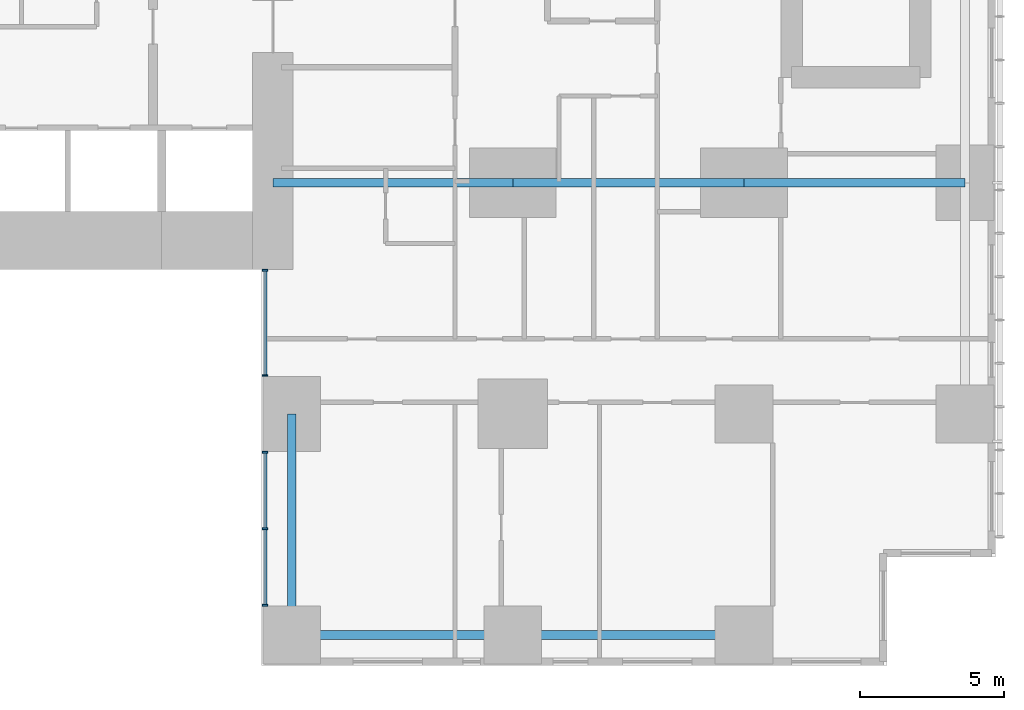
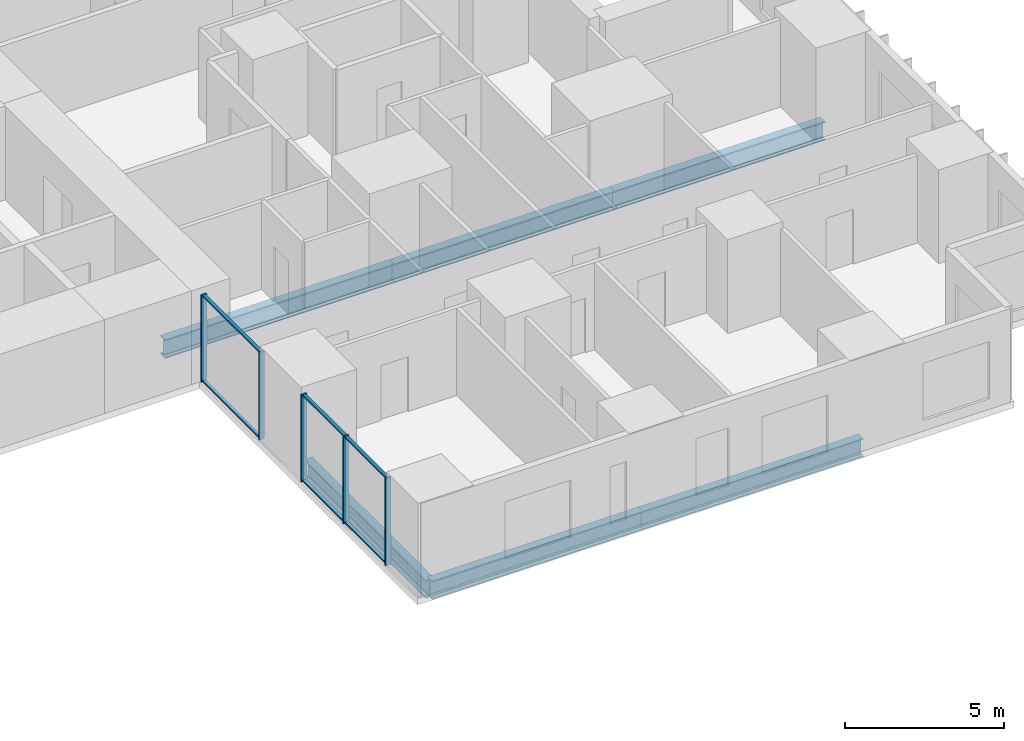
# One storey, part 3 of 20: 11 members, 6 beams, 2 elements without a shape of their own.
"""IFC4 building model written with IfcOpenShell, lengths in metres."""

from ifc_helpers import new_model, si_unit, direction, frame, origin, origin_2d, place, context, subcontext, project, spatial, rectangle, i_section, extrude, material, layer, layer_set, material_profile, profile_set, type_object, element, aggregate, save


model = new_model("IFC4")

# Units and contexts
model_context = context("Model", 3, precision=1e-05, world=origin(), true_north=direction((0.0, 1.0)))
body_context = subcontext(model_context, "Body", "Model", "MODEL_VIEW")
ifc_project = project(units=[si_unit("LENGTHUNIT", "METRE"), si_unit("AREAUNIT", "SQUARE_METRE"), si_unit("VOLUMEUNIT", "CUBIC_METRE"), si_unit("PLANEANGLEUNIT", "RADIAN"), si_unit("MASSUNIT", "GRAM", prefix="KILO")], contexts=[model_context])

# Site, building, storey
site_placement = place(None, origin())
site = spatial("IfcSite", under=ifc_project, at=site_placement, CompositionType="ELEMENT")
building_placement = place(site_placement, origin())
building = spatial("IfcBuilding", under=site, at=building_placement, Name="Cleftline Residences", CompositionType="ELEMENT")
storey_placement = place(building_placement, frame((0.0, 0.0, 139.39990234375)))
storey = spatial("IfcBuildingStorey", under=building, at=storey_placement, Name="L36", CompositionType="ELEMENT", Elevation=139.39990234375)

# Beams
ifc_material_1 = material(Name="Steel S355", Category="steel")
ifc_material_profile_1 = material_profile(ifc_material_1, i_section(OverallWidth=0.300048828125, OverallDepth=0.699951171875, WebThickness=0.01708984375, FlangeThickness=0.031982421875, FilletRadius=0.027099609375, at=origin_2d()))
ifc_profile_set_1 = profile_set([ifc_material_profile_1], Name="Steel S355")
beam_type_1 = type_object("IfcBeamType", Name="BEAM HEB 700", PredefinedType="BEAM", material=ifc_profile_set_1)
beam_1_placement = place(storey_placement, frame((58.0, 0.35009765625, -0.599853515625), z_axis=(-1.0, 0.0, 0.0), x_axis=(0.0, -1.0, 0.0)))
element("IfcBeam", 1, at=beam_1_placement, inside=storey, type_object=beam_type_1, Name="Edge beam", PredefinedType="BEAM", context=body_context, shape_type="SweptSolid", body=[
    extrude(i_section(OverallWidth=0.300048828125, OverallDepth=0.699951171875, WebThickness=0.01708984375, FlangeThickness=0.031982421875, FilletRadius=0.027099609375, at=origin_2d()), origin(), (0.0, 0.0, 1.0), 8.0),
])
for number, where, z_axis, x_axis, name in (
    (2, (50.0, 0.35009765625, -0.599853515625), (-1.0, 0.0, 0.0), (0.0, -1.0, 0.0), "Edge beam"),
    (3, (42.35009765625, 0.35009765625, -0.599853515625), (0.0, 1.0, 0.0), (-1.0, 0.0, 0.0), "Edge beam"),
):
    element("IfcBeam", number, at=place(storey_placement, frame(where, z_axis=z_axis, x_axis=x_axis)), inside=storey, type_object=beam_type_1, Name=name, PredefinedType="BEAM", context=body_context, shape_type="SweptSolid", body=[
        extrude(i_section(OverallWidth=0.300048828125, OverallDepth=0.699951171875, WebThickness=0.01708984375, FlangeThickness=0.031982421875, FilletRadius=0.027099609375, at=origin_2d()), origin(), (0.0, 0.0, 1.0), 7.64990234375),
    ])
ifc_material_2 = material(Name="Steel S355", Category="steel")
ifc_material_profile_2 = material_profile(ifc_material_2, i_section(OverallWidth=0.303955078125, OverallDepth=0.716064453125, WebThickness=0.02099609375, FlangeThickness=0.0400390625, FilletRadius=0.027099609375, at=origin_2d()))
ifc_profile_set_2 = profile_set([ifc_material_profile_2], Name="Steel S355")
beam_type_2 = type_object("IfcBeamType", Name="BEAM HEM 700", PredefinedType="BEAM", material=ifc_profile_set_2)
beam_2_placement = place(storey_placement, frame((65.64990234375, 16.0, -0.60791015625), z_axis=(-1.0, 0.0, 0.0), x_axis=(0.0, -1.0, 0.0)))
element("IfcBeam", 4, at=beam_2_placement, inside=storey, type_object=beam_type_2, Name="Band beam", PredefinedType="BEAM", context=body_context, shape_type="SweptSolid", body=[
    extrude(i_section(OverallWidth=0.303955078125, OverallDepth=0.716064453125, WebThickness=0.02099609375, FlangeThickness=0.0400390625, FilletRadius=0.027099609375, at=origin_2d()), origin(), (0.0, 0.0, 1.0), 7.64990234375),
])
beam_3_placement = place(storey_placement, frame((58.0, 16.0, -0.60791015625), z_axis=(-1.0, 0.0, 0.0), x_axis=(0.0, -1.0, 0.0)))
element("IfcBeam", 5, at=beam_3_placement, inside=storey, type_object=beam_type_2, Name="Band beam", PredefinedType="BEAM", context=body_context, shape_type="SweptSolid", body=[
    extrude(i_section(OverallWidth=0.303955078125, OverallDepth=0.716064453125, WebThickness=0.02099609375, FlangeThickness=0.0400390625, FilletRadius=0.027099609375, at=origin_2d()), origin(), (0.0, 0.0, 1.0), 8.0),
])
beam_4_placement = place(storey_placement, frame((50.0, 16.0, -0.60791015625), z_axis=(-1.0, 0.0, 0.0), x_axis=(0.0, -1.0, 0.0)))
element("IfcBeam", 6, at=beam_4_placement, inside=storey, type_object=beam_type_2, Name="Band beam", PredefinedType="BEAM", context=body_context, shape_type="SweptSolid", body=[
    extrude(i_section(OverallWidth=0.303955078125, OverallDepth=0.716064453125, WebThickness=0.02099609375, FlangeThickness=0.0400390625, FilletRadius=0.027099609375, at=origin_2d()), origin(), (0.0, 0.0, 1.0), 8.300048828125),
])

# Curtain wall, members
ifc_material_3 = material(Name="Aluminium framed curtain wall", Category="aluminium")
ifc_layer = layer(ifc_material_3, 0.199951171875)
ifc_layer_set = layer_set([ifc_layer], Name="CW1 CLEFT GLAZING")
curtain_wall_type = type_object("IfcCurtainWallType", Name="CW1 CLEFT GLAZING", PredefinedType="NOTDEFINED", material=ifc_layer_set)
curtain_wall_1_placement = place(storey_placement, origin())
curtain_wall_1 = element("IfcCurtainWall", 7, at=curtain_wall_1_placement, inside=storey, type_object=curtain_wall_type, Name="Curtain wall CW1", PredefinedType="NOTDEFINED")
ifc_material_4 = material(Name="Aluminium mullion", Category="aluminium")
ifc_material_profile_3 = material_profile(ifc_material_4, rectangle(XDim=0.199951171875, YDim=0.06005859375, at=origin_2d()))
ifc_profile_set_3 = profile_set([ifc_material_profile_3], Name="Aluminium mullion")
member_type_1 = type_object("IfcMemberType", Name="CW1 MULLION", PredefinedType="MULLION", material=ifc_profile_set_3)
member_1_placement = place(storey_placement, frame((41.425048828125, 12.969970703125, 0.0), z_axis=(0.0, 0.0, 1.0), x_axis=(1.0, 0.0, 0.0)))
member_1 = element("IfcMember", 8, at=member_1_placement, type_object=member_type_1, Name="CW1 mullion 1", PredefinedType="MULLION", context=body_context, shape_type="SweptSolid", body=[
    extrude(rectangle(XDim=0.199951171875, YDim=0.06005859375, at=origin_2d()), origin(), (0.0, 0.0, 1.0), 3.35009765625),
])
member_2_placement = place(storey_placement, frame((41.425048828125, 9.330078125, 0.0), z_axis=(0.0, 0.0, 1.0), x_axis=(1.0, 0.0, 0.0)))
member_2 = element("IfcMember", 9, at=member_2_placement, type_object=member_type_1, Name="CW1 mullion 2", PredefinedType="MULLION", context=body_context, shape_type="SweptSolid", body=[
    extrude(rectangle(XDim=0.199951171875, YDim=0.06005859375, at=origin_2d()), origin(), (0.0, 0.0, 1.0), 3.35009765625),
])

curtain_wall_2_placement = place(storey_placement, origin())
curtain_wall_2 = element("IfcCurtainWall", 10, at=curtain_wall_2_placement, inside=storey, type_object=curtain_wall_type, Name="Curtain wall CW1", PredefinedType="NOTDEFINED")
member_3_placement = place(storey_placement, frame((41.425048828125, 6.669921875, 0.0), z_axis=(0.0, 0.0, 1.0), x_axis=(1.0, 0.0, 0.0)))
member_3 = element("IfcMember", 11, at=member_3_placement, type_object=member_type_1, Name="CW1 mullion 1", PredefinedType="MULLION", context=body_context, shape_type="SweptSolid", body=[
    extrude(rectangle(XDim=0.199951171875, YDim=0.06005859375, at=origin_2d()), origin(), (0.0, 0.0, 1.0), 3.35009765625),
])
member_4_placement = place(storey_placement, frame((41.425048828125, 4.02490234375, 0.0), z_axis=(0.0, 0.0, 1.0), x_axis=(1.0, 0.0, 0.0)))
member_4 = element("IfcMember", 12, at=member_4_placement, type_object=member_type_1, Name="CW1 mullion 2", PredefinedType="MULLION", context=body_context, shape_type="SweptSolid", body=[
    extrude(rectangle(XDim=0.199951171875, YDim=0.06005859375, at=origin_2d()), origin(), (0.0, 0.0, 1.0), 3.35009765625),
])
member_5_placement = place(storey_placement, frame((41.425048828125, 1.3798828125, 0.0), z_axis=(0.0, 0.0, 1.0), x_axis=(1.0, 0.0, 0.0)))
member_5 = element("IfcMember", 13, at=member_5_placement, type_object=member_type_1, Name="CW1 mullion 3", PredefinedType="MULLION", context=body_context, shape_type="SweptSolid", body=[
    extrude(rectangle(XDim=0.199951171875, YDim=0.06005859375, at=origin_2d()), origin(), (0.0, 0.0, 1.0), 3.35009765625),
])

# Member
ifc_material_5 = material(Name="Aluminium transom", Category="aluminium")
ifc_material_profile_4 = material_profile(ifc_material_5, rectangle(XDim=0.1201171875, YDim=0.06005859375, at=origin_2d()))
ifc_profile_set_4 = profile_set([ifc_material_profile_4], Name="Aluminium transom")
member_type_2 = type_object("IfcMemberType", Name="CW1 TRANSOM", PredefinedType="USERDEFINED", material=ifc_profile_set_4)
member_6_placement = place(storey_placement, frame((41.425048828125, 12.93994140625, 0.030029296875), z_axis=(0.0, -1.0, 0.0), x_axis=(1.0, 0.0, 0.0)))
member_6 = element("IfcMember", 14, at=member_6_placement, type_object=member_type_2, Name="CW1 transom 1.1", ObjectType="TRANSOM", PredefinedType="USERDEFINED", context=body_context, shape_type="SweptSolid", body=[
    extrude(rectangle(XDim=0.1201171875, YDim=0.06005859375, at=origin_2d()), origin(), (0.0, 0.0, 1.0), 3.579833984375),
])

member_7_placement = place(storey_placement, frame((41.425048828125, 12.93994140625, 3.320068359375), z_axis=(0.0, -1.0, 0.0), x_axis=(1.0, 0.0, 0.0)))
member_7 = element("IfcMember", 15, at=member_7_placement, type_object=member_type_2, Name="CW1 transom 1.2", ObjectType="TRANSOM", PredefinedType="USERDEFINED", context=body_context, shape_type="SweptSolid", body=[
    extrude(rectangle(XDim=0.1201171875, YDim=0.06005859375, at=origin_2d()), origin(), (0.0, 0.0, 1.0), 3.579833984375),
])

aggregate(curtain_wall_1, [member_1, member_2, member_6, member_7])

member_8_placement = place(storey_placement, frame((41.425048828125, 6.639892578125, 0.030029296875), z_axis=(0.0, -1.0, 0.0), x_axis=(1.0, 0.0, 0.0)))
member_8 = element("IfcMember", 16, at=member_8_placement, type_object=member_type_2, Name="CW1 transom 1.1", ObjectType="TRANSOM", PredefinedType="USERDEFINED", context=body_context, shape_type="SweptSolid", body=[
    extrude(rectangle(XDim=0.1201171875, YDim=0.06005859375, at=origin_2d()), origin(), (0.0, 0.0, 1.0), 2.5849609375),
])

member_9_placement = place(storey_placement, frame((41.425048828125, 6.639892578125, 3.320068359375), z_axis=(0.0, -1.0, 0.0), x_axis=(1.0, 0.0, 0.0)))
member_9 = element("IfcMember", 17, at=member_9_placement, type_object=member_type_2, Name="CW1 transom 1.2", ObjectType="TRANSOM", PredefinedType="USERDEFINED", context=body_context, shape_type="SweptSolid", body=[
    extrude(rectangle(XDim=0.1201171875, YDim=0.06005859375, at=origin_2d()), origin(), (0.0, 0.0, 1.0), 2.5849609375),
])

member_10_placement = place(storey_placement, frame((41.425048828125, 3.9951171875, 0.030029296875), z_axis=(0.0, -1.0, 0.0), x_axis=(1.0, 0.0, 0.0)))
member_10 = element("IfcMember", 18, at=member_10_placement, type_object=member_type_2, Name="CW1 transom 2.1", ObjectType="TRANSOM", PredefinedType="USERDEFINED", context=body_context, shape_type="SweptSolid", body=[
    extrude(rectangle(XDim=0.1201171875, YDim=0.06005859375, at=origin_2d()), origin(), (0.0, 0.0, 1.0), 2.585205078125),
])

member_11_placement = place(storey_placement, frame((41.425048828125, 3.9951171875, 3.320068359375), z_axis=(0.0, -1.0, 0.0), x_axis=(1.0, 0.0, 0.0)))
member_11 = element("IfcMember", 19, at=member_11_placement, type_object=member_type_2, Name="CW1 transom 2.2", ObjectType="TRANSOM", PredefinedType="USERDEFINED", context=body_context, shape_type="SweptSolid", body=[
    extrude(rectangle(XDim=0.1201171875, YDim=0.06005859375, at=origin_2d()), origin(), (0.0, 0.0, 1.0), 2.585205078125),
])

aggregate(curtain_wall_2, [member_3, member_4, member_5, member_8, member_9, member_10, member_11])

save(model, "model.ifc")
